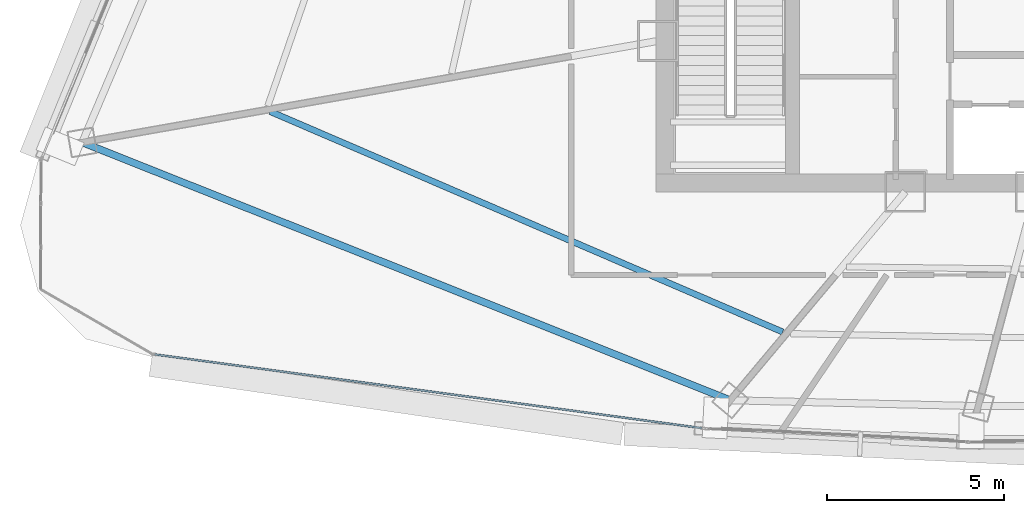
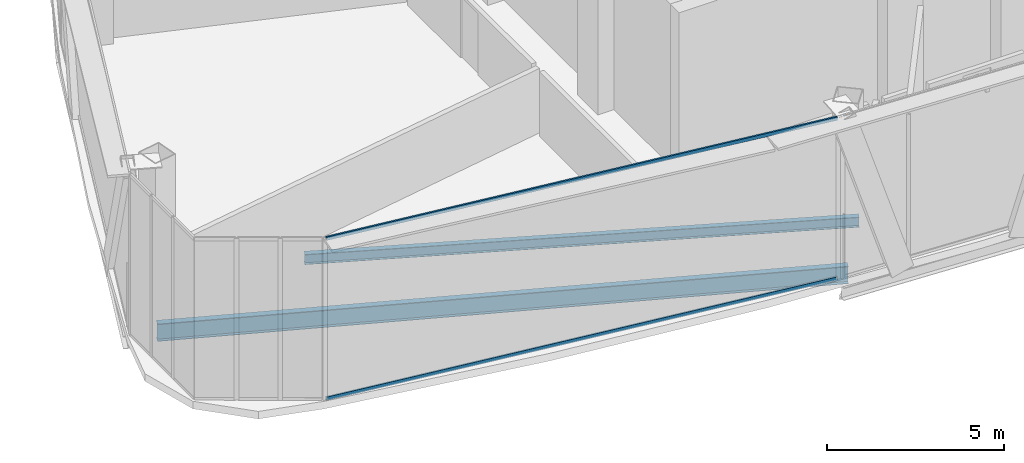
# One storey, part 3 of 33: 2 beams, 2 members, 1 element without a shape of its own.
"""IFC4 building model written with IfcOpenShell, lengths in metres."""

from ifc_helpers import new_model, si_unit, direction, frame, origin, origin_2d, place, context, subcontext, project, spatial, hollow_rectangle, i_section, extrude, source, transform, mapped, material, layer, layer_set, material_profile, profile_set, type_object, element, aggregate, save


model = new_model("IFC4")

# Units and contexts
model_context = context("Model", 3, precision=1e-05, world=origin(), true_north=direction((0.0, 1.0)))
body_context = subcontext(model_context, "Body", "Model", "MODEL_VIEW")
ifc_project = project(units=[si_unit("LENGTHUNIT", "METRE"), si_unit("AREAUNIT", "SQUARE_METRE"), si_unit("VOLUMEUNIT", "CUBIC_METRE"), si_unit("PLANEANGLEUNIT", "RADIAN"), si_unit("MASSUNIT", "GRAM", prefix="KILO"), si_unit("THERMODYNAMICTEMPERATUREUNIT", "KELVIN"), si_unit("POWERUNIT", "WATT")], contexts=[model_context])

# Site, building, storey
site_placement = place(None, origin())
site = spatial("IfcSite", under=ifc_project, at=site_placement, CompositionType="ELEMENT")
building_placement = place(site_placement, origin())
building = spatial("IfcBuilding", under=site, at=building_placement, Name="Yunzhuo Pagoda Commons", CompositionType="ELEMENT")
storey_placement = place(building_placement, frame((0.0, 0.0, 314.860107421875)))
storey = spatial("IfcBuildingStorey", under=building, at=storey_placement, Name="L79", CompositionType="ELEMENT", Elevation=314.860107421875)

# Beams
ifc_material_1 = material(Name="Structural steel Q355B", Category="steel")
ifc_material_profile_1 = material_profile(ifc_material_1, i_section(OverallWidth=0.199951171875, OverallDepth=0.60009765625, WebThickness=0.010986328125, FlangeThickness=0.01708984375, at=origin_2d()), Name="Structural steel Q355B")
ifc_profile_set_1 = profile_set([ifc_material_profile_1], Name="Structural steel Q355B")
beam_type_1 = type_object("IfcBeamType", Name="B-RG3 Beam HN 600x200x11x17", PredefinedType="BEAM", material=ifc_profile_set_1)
shared_shape_1 = source(origin(), body_context, "Body", "SweptSolid", [
    extrude(i_section(OverallWidth=0.199951171875, OverallDepth=0.60009765625, WebThickness=0.010986328125, FlangeThickness=0.01708984375, at=origin_2d()), origin(), (0.0, 0.0, 1.0), 19.70458984375),
])
beam_1_placement = place(storey_placement, frame((19.33837890625, 28.646240234375, -0.56005859375), z_axis=(0.929153602905, -0.369693903396, 0.0), x_axis=(0.369693903396, 0.929153602905, 0.0)))
element("IfcBeam", 1, at=beam_1_placement, inside=storey, type_object=beam_type_1, Name="L79 column-ring beam 12", PredefinedType="BEAM", context=body_context, shape_type="MappedRepresentation", body=[
    mapped(shared_shape_1, transform((0.0, 0.0, 0.0), scale=1.0)),
])
ifc_material_profile_2 = material_profile(ifc_material_1, i_section(OverallWidth=0.175048828125, OverallDepth=0.35009765625, WebThickness=0.007080078125, FlangeThickness=0.010986328125, at=origin_2d()), Name="Structural steel Q355B")
ifc_profile_set_2 = profile_set([ifc_material_profile_2], Name="Structural steel Q355B")
beam_type_2 = type_object("IfcBeamType", Name="B-JS2 Joist HN 350x175x7x11", PredefinedType="JOIST", material=ifc_profile_set_2)
shared_shape_2 = source(origin(), body_context, "Body", "SweptSolid", [
    extrude(i_section(OverallWidth=0.175048828125, OverallDepth=0.35009765625, WebThickness=0.007080078125, FlangeThickness=0.010986328125, at=origin_2d()), origin(), (0.0, 0.0, 1.0), 15.757568359375),
])
beam_2_placement = place(storey_placement, frame((24.647705078125, 29.5185546875, -0.43505859375), z_axis=(0.918597596679, -0.395194199573, 0.0), x_axis=(0.395194199573, 0.918597596679, 0.0)))
element("IfcBeam", 2, at=beam_2_placement, inside=storey, type_object=beam_type_2, Name="L79 composite ring joist 2.12", PredefinedType="JOIST", context=body_context, shape_type="MappedRepresentation", body=[
    mapped(shared_shape_2, transform((0.0, 0.0, 0.0), scale=1.0)),
])

# Curtain wall, members
ifc_material_2 = material(Name="Anodized aluminium 6063-T6", Category="aluminium")
ifc_layer = layer(ifc_material_2, 0.139892578125)
ifc_layer_set = layer_set([ifc_layer], Name="Anodized aluminium 6063-T6")
curtain_wall_type = type_object("IfcCurtainWallType", Name="CW-HI High-Zone Ribbon Curtain Wall", PredefinedType="NOTDEFINED", material=ifc_layer_set)
curtain_wall_placement = place(storey_placement, origin())
curtain_wall = element("IfcCurtainWall", 3, at=curtain_wall_placement, inside=storey, type_object=curtain_wall_type, Name="L79 curtain wall CW-L79-F1B1", PredefinedType="NOTDEFINED")
ifc_material_profile_3 = material_profile(ifc_material_2, hollow_rectangle(XDim=0.054931640625, YDim=0.1201171875, WallThickness=0.00341796875, at=origin_2d()), Name="Anodized aluminium 6063-T6")
ifc_profile_set_3 = profile_set([ifc_material_profile_3], Name="Anodized aluminium 6063-T6")
member_type = type_object("IfcMemberType", Name="CW-HI-T Transom RHS 120x55x3.5", PredefinedType="USERDEFINED", material=ifc_profile_set_3)
shared_shape_3 = source(origin(), body_context, "Body", "SweptSolid", [
    extrude(hollow_rectangle(XDim=0.054931640625, YDim=0.1201171875, WallThickness=0.00341796875, at=origin_2d()), origin(), (0.0, 0.0, 1.0), 15.591796875),
])
member_1_placement = place(storey_placement, frame((21.385986328125, 22.656982421875, 0.02734375), z_axis=(0.991046322825, -0.133518485665, 0.0), x_axis=(0.133518485665, 0.991046322825, 0.0)))
member_1 = element("IfcMember", 4, at=member_1_placement, type_object=member_type, Name="CW transom 1.1", ObjectType="TRANSOM", PredefinedType="USERDEFINED", context=body_context, shape_type="MappedRepresentation", body=[
    mapped(shared_shape_3, transform((0.0, 0.0, 0.0), scale=1.0)),
])
member_2_placement = place(storey_placement, frame((21.385986328125, 22.656982421875, 5.54248046875), z_axis=(0.991046322825, -0.133518485665, 0.0), x_axis=(0.133518485665, 0.991046322825, 0.0)))
member_2 = element("IfcMember", 5, at=member_2_placement, type_object=member_type, Name="CW transom 1.2", ObjectType="TRANSOM", PredefinedType="USERDEFINED", context=body_context, shape_type="MappedRepresentation", body=[
    mapped(shared_shape_3, transform((0.0, 0.0, 0.0), scale=1.0)),
])
aggregate(curtain_wall, [member_1, member_2])

save(model, "model.ifc")
